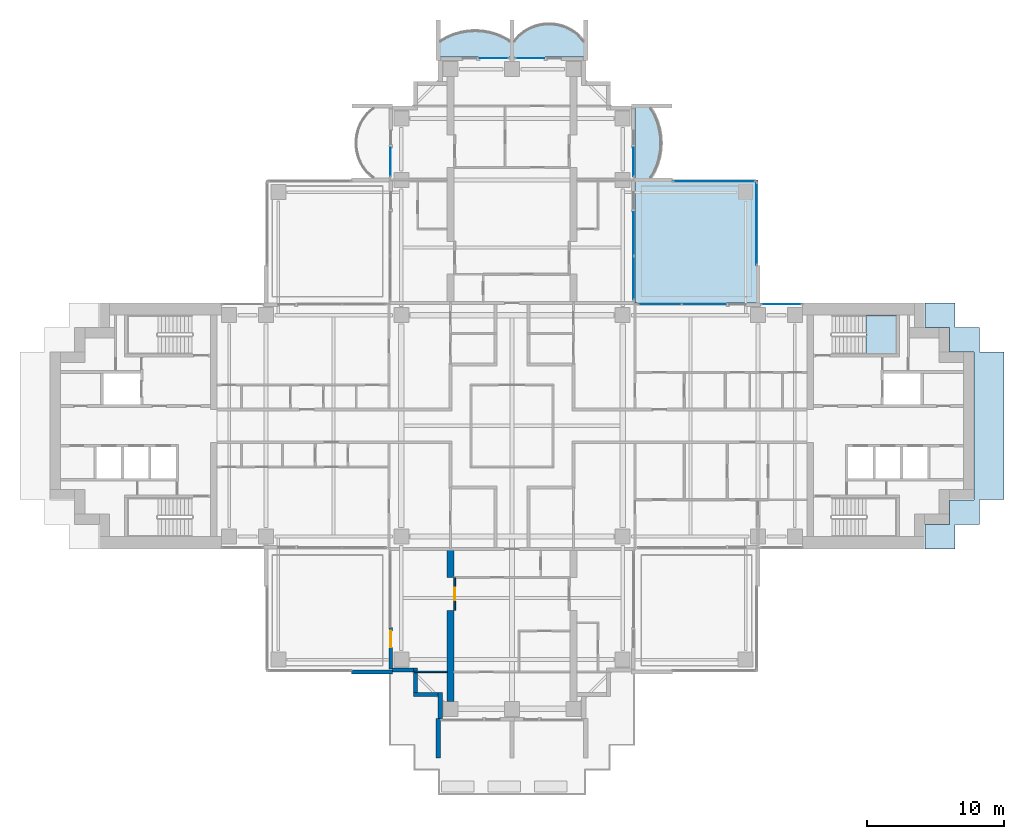
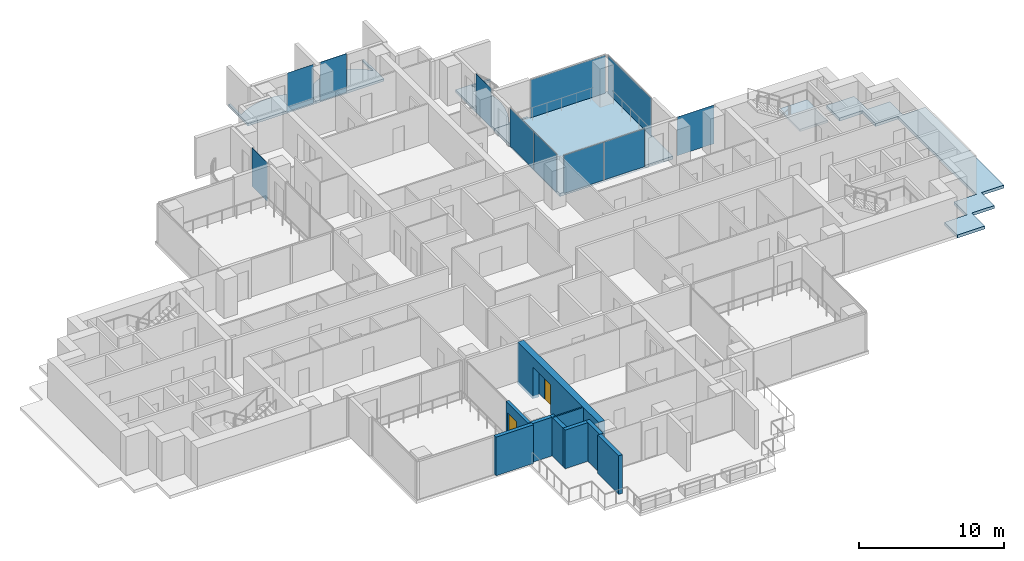
# One storey, part 9 of 20: 11 plates, 10 walls, 6 slabs, 2 doors, 2 openings, 10 elements without a shape of their own.
"""IFC4 building model written with IfcOpenShell, lengths in metres."""

from ifc_helpers import new_model, si_unit, direction, frame, frame_2d, origin, origin_2d, place, context, subcontext, project, spatial, polyline, rectangle, outline, extrude, material, layer, layer_set, material_profile, profile_set, type_object, element, fill, aggregate, save


model = new_model("IFC4")

# Units and contexts
model_context = context("Model", 3, precision=1e-05, world=origin(), true_north=direction((0.0, 1.0)))
body_context = subcontext(model_context, "Body", "Model", "MODEL_VIEW")
ifc_project = project(units=[si_unit("LENGTHUNIT", "METRE"), si_unit("AREAUNIT", "SQUARE_METRE"), si_unit("VOLUMEUNIT", "CUBIC_METRE"), si_unit("PLANEANGLEUNIT", "RADIAN"), si_unit("MASSUNIT", "GRAM", prefix="KILO")], contexts=[model_context])

# Site, building, storey
site_placement = place(None, origin())
site = spatial("IfcSite", under=ifc_project, at=site_placement, CompositionType="ELEMENT")
building_placement = place(site_placement, origin())
building = spatial("IfcBuilding", under=site, at=building_placement, Name="Perihelion Cross Residences", CompositionType="ELEMENT")
storey_placement = place(building_placement, frame((0.0, 0.0, 102.39990234375)))
storey = spatial("IfcBuildingStorey", under=building, at=storey_placement, Name="L23", CompositionType="ELEMENT", Elevation=102.39990234375)

# Slabs
ifc_material_1 = material(Name="Concrete C40/50", Category="concrete")
ifc_layer_1 = layer(ifc_material_1, 0.199951171875)
ifc_layer_set_1 = layer_set([ifc_layer_1], Name="Balcony slab 200")
slab_type_1 = type_object("IfcSlabType", Name="Balcony slab 200", PredefinedType="FLOOR", material=ifc_layer_set_1)
slab_1_placement = place(storey_placement, frame((0.0, 0.0, -0.199951171875)))
element("IfcSlab", 1, at=slab_1_placement, inside=storey, type_object=slab_type_1, Name="Slab BK1 L23 north side east bay 2 balcony", PredefinedType="FLOOR", context=body_context, shape_type="SweptSolid", body=[
    extrude(outline(polyline([(9.0, 18.0), (9.0, 23.39990234375), (11.699951171875, 23.39990234375), (11.699951171875, 23.25), (10.199951171875, 23.25), (10.4853515625, 22.739990234375), (10.694580078125, 22.22998046875), (10.838134765625, 21.719970703125), (10.92236328125, 21.2099609375), (10.949951171875, 20.699951171875), (10.92236328125, 20.18994140625), (10.838134765625, 19.679931640625), (10.694580078125, 19.169921875), (10.4853515625, 18.659912109375), (10.199951171875, 18.14990234375), (11.699951171875, 18.14990234375), (11.699951171875, 18.0), (9.0, 18.0)])), origin(), (0.0, 0.0, 1.0), 0.199951171875),
])
slab_2_placement = place(storey_placement, frame((0.0, 0.0, -0.199951171875)))
element("IfcSlab", 2, at=slab_2_placement, inside=storey, type_object=slab_type_1, Name="Slab BK1 L23 north tip north bay 1 balcony", PredefinedType="FLOOR", context=body_context, shape_type="SweptSolid", body=[
    extrude(outline(polyline([(5.39990234375, 27.0), (0.0, 27.0), (0.0, 29.699951171875), (0.14990234375, 29.699951171875), (0.14990234375, 28.199951171875), (0.542236328125, 28.622314453125), (0.9345703125, 28.924072265625), (1.326904296875, 29.143310546875), (1.71923828125, 29.29736328125), (2.111572265625, 29.39599609375), (2.50390625, 29.444091796875), (2.896240234375, 29.444091796875), (3.28857421875, 29.39599609375), (3.6806640625, 29.29736328125), (4.072998046875, 29.143310546875), (4.46533203125, 28.924072265625), (4.857666015625, 28.622314453125), (5.25, 28.199951171875), (5.25, 29.699951171875), (5.39990234375, 29.699951171875), (5.39990234375, 27.0)])), origin(), (0.0, 0.0, 1.0), 0.199951171875),
])
slab_3_placement = place(storey_placement, frame((0.0, 0.0, -0.199951171875)))
element("IfcSlab", 3, at=slab_3_placement, inside=storey, type_object=slab_type_1, Name="Slab BK1 L23 north tip north bay 2 balcony", PredefinedType="FLOOR", context=body_context, shape_type="SweptSolid", body=[
    extrude(outline(polyline([(0.0, 27.0), (-5.39990234375, 27.0), (-5.39990234375, 29.699951171875), (-5.25, 29.699951171875), (-5.25, 28.199951171875), (-4.739990234375, 28.4853515625), (-4.22998046875, 28.694580078125), (-3.719970703125, 28.838134765625), (-3.2099609375, 28.92236328125), (-2.699951171875, 28.949951171875), (-2.18994140625, 28.92236328125), (-1.679931640625, 28.838134765625), (-1.169921875, 28.694580078125), (-0.659912109375, 28.4853515625), (-0.14990234375, 28.199951171875), (-0.14990234375, 29.699951171875), (0.0, 29.699951171875), (0.0, 27.0)])), origin(), (0.0, 0.0, 1.0), 0.199951171875),
])

# Curtain wall, plate
ifc_material_2 = material(Name="Bronze anodised aluminium, tinted glazing", Category="aluminium")
curtain_wall_type_1 = type_object("IfcCurtainWallType", Name="CW1", PredefinedType="NOTDEFINED", material=ifc_material_2)
curtain_wall_1_placement = place(storey_placement, origin())
curtain_wall_1 = element("IfcCurtainWall", 4, at=curtain_wall_1_placement, inside=storey, type_object=curtain_wall_type_1, Name="Curtain wall CW1 L23 east side north bay 1", PredefinedType="NOTDEFINED")
ifc_material_3 = material(Name="Tinted laminated glass", Category="glass")
ifc_layer_2 = layer(ifc_material_3, 0.028076171875)
ifc_layer_set_2 = layer_set([ifc_layer_2], Name="CW1 panel")
plate_type_1 = type_object("IfcPlateType", Name="CW1 panel", PredefinedType="CURTAIN_PANEL", material=ifc_layer_set_2)
plate_1_placement = place(storey_placement, frame((19.72509765625, 8.89990234375, 0.0), z_axis=(0.0, 0.0, 1.0), x_axis=(-1.0, 0.0, 0.0)))
plate_1 = element("IfcPlate", 5, at=plate_1_placement, type_object=plate_type_1, Name="CW1 panel 1", PredefinedType="CURTAIN_PANEL", context=body_context, shape_type="SweptSolid", body=[
    extrude(rectangle(XDim=2.929931640625, YDim=0.028076171875, at=origin_2d()), origin(), (0.0, 0.0, 1.0), 3.25),
])
aggregate(curtain_wall_1, [plate_1])

# Curtain wall, plates
curtain_wall_2_placement = place(storey_placement, origin())
curtain_wall_2 = element("IfcCurtainWall", 6, at=curtain_wall_2_placement, inside=storey, type_object=curtain_wall_type_1, Name="Curtain wall CW1 L23 east side north bay 2", PredefinedType="NOTDEFINED")
plate_2_placement = place(storey_placement, frame((14.052490234375, 8.89990234375, 0.000244140625), z_axis=(0.0, 0.0, 1.0), x_axis=(-1.0, 0.0, 0.0)))
plate_2 = element("IfcPlate", 7, at=plate_2_placement, type_object=plate_type_1, Name="CW1 panel 1", PredefinedType="CURTAIN_PANEL", context=body_context, shape_type="SweptSolid", body=[
    extrude(rectangle(XDim=3.195068359375, YDim=0.028076171875, at=origin_2d()), origin(), (0.0, 0.0, 1.0), 3.18994140625),
])
plate_3_placement = place(storey_placement, frame((10.827392578125, 8.89990234375, 0.000244140625), z_axis=(0.0, 0.0, 1.0), x_axis=(-1.0, 0.0, 0.0)))
plate_3 = element("IfcPlate", 8, at=plate_3_placement, type_object=plate_type_1, Name="CW1 panel 2", PredefinedType="CURTAIN_PANEL", context=body_context, shape_type="SweptSolid", body=[
    extrude(rectangle(XDim=3.135009765625, YDim=0.028076171875, at=origin_2d()), origin(), (0.0, 0.0, 1.0), 3.18994140625),
])
aggregate(curtain_wall_2, [plate_2, plate_3])

curtain_wall_3_placement = place(storey_placement, origin())
curtain_wall_3 = element("IfcCurtainWall", 9, at=curtain_wall_3_placement, inside=storey, type_object=curtain_wall_type_1, Name="Curtain wall CW1 L23 north side east bay 1", PredefinedType="NOTDEFINED")
plate_4_placement = place(storey_placement, frame((8.89990234375, 10.827392578125, 0.000244140625), z_axis=(0.0, 0.0, 1.0), x_axis=(0.0, 1.0, 0.0)))
plate_4 = element("IfcPlate", 10, at=plate_4_placement, type_object=plate_type_1, Name="CW1 panel 1", PredefinedType="CURTAIN_PANEL", context=body_context, shape_type="SweptSolid", body=[
    extrude(rectangle(XDim=3.135009765625, YDim=0.028076171875, at=origin_2d()), origin(), (0.0, 0.0, 1.0), 3.18994140625),
])
plate_5_placement = place(storey_placement, frame((8.89990234375, 14.052490234375, 0.000244140625), z_axis=(0.0, 0.0, 1.0), x_axis=(0.0, 1.0, 0.0)))
plate_5 = element("IfcPlate", 11, at=plate_5_placement, type_object=plate_type_1, Name="CW1 panel 2", PredefinedType="CURTAIN_PANEL", context=body_context, shape_type="SweptSolid", body=[
    extrude(rectangle(XDim=3.195068359375, YDim=0.028076171875, at=origin_2d()), origin(), (0.0, 0.0, 1.0), 3.18994140625),
])
aggregate(curtain_wall_3, [plate_4, plate_5])

# Curtain wall, plate
curtain_wall_4_placement = place(storey_placement, origin())
curtain_wall_4 = element("IfcCurtainWall", 12, at=curtain_wall_4_placement, inside=storey, type_object=curtain_wall_type_1, Name="Curtain wall CW1 L23 north side east bay 2", PredefinedType="NOTDEFINED")
plate_6_placement = place(storey_placement, frame((8.89990234375, 19.304931640625, 0.0), z_axis=(0.0, 0.0, 1.0), x_axis=(0.0, 1.0, 0.0)))
plate_6 = element("IfcPlate", 13, at=plate_6_placement, type_object=plate_type_1, Name="CW1 panel 1", PredefinedType="CURTAIN_PANEL", context=body_context, shape_type="SweptSolid", body=[
    extrude(rectangle(XDim=2.090087890625, YDim=0.028076171875, at=origin_2d()), origin(), (0.0, 0.0, 1.0), 3.25),
])
aggregate(curtain_wall_4, [plate_6])

curtain_wall_5_placement = place(storey_placement, origin())
curtain_wall_5 = element("IfcCurtainWall", 14, at=curtain_wall_5_placement, inside=storey, type_object=curtain_wall_type_1, Name="Curtain wall CW1 L23 north tip north bay 1", PredefinedType="NOTDEFINED")
plate_7_placement = place(storey_placement, frame((1.304931640625, 26.89990234375, 0.0), z_axis=(0.0, 0.0, 1.0), x_axis=(-1.0, 0.0, 0.0)))
plate_7 = element("IfcPlate", 15, at=plate_7_placement, type_object=plate_type_1, Name="CW1 panel 1", PredefinedType="CURTAIN_PANEL", context=body_context, shape_type="SweptSolid", body=[
    extrude(rectangle(XDim=2.090087890625, YDim=0.028076171875, at=origin_2d()), origin(), (0.0, 0.0, 1.0), 3.25),
])
aggregate(curtain_wall_5, [plate_7])

curtain_wall_6_placement = place(storey_placement, origin())
curtain_wall_6 = element("IfcCurtainWall", 16, at=curtain_wall_6_placement, inside=storey, type_object=curtain_wall_type_1, Name="Curtain wall CW1 L23 north tip north bay 2", PredefinedType="NOTDEFINED")
plate_8_placement = place(storey_placement, frame((-1.304931640625, 26.89990234375, 0.0), z_axis=(0.0, 0.0, 1.0), x_axis=(-1.0, 0.0, 0.0)))
plate_8 = element("IfcPlate", 17, at=plate_8_placement, type_object=plate_type_1, Name="CW1 panel 1", PredefinedType="CURTAIN_PANEL", context=body_context, shape_type="SweptSolid", body=[
    extrude(rectangle(XDim=2.090087890625, YDim=0.028076171875, at=origin_2d()), origin(), (0.0, 0.0, 1.0), 3.25),
])
aggregate(curtain_wall_6, [plate_8])

curtain_wall_7_placement = place(storey_placement, origin())
curtain_wall_7 = element("IfcCurtainWall", 18, at=curtain_wall_7_placement, inside=storey, type_object=curtain_wall_type_1, Name="Curtain wall CW1 L23 north side west bay 1", PredefinedType="NOTDEFINED")
plate_9_placement = place(storey_placement, frame((-8.89990234375, 19.304931640625, 0.0), z_axis=(0.0, 0.0, 1.0), x_axis=(0.0, -1.0, 0.0)))
plate_9 = element("IfcPlate", 19, at=plate_9_placement, type_object=plate_type_1, Name="CW1 panel 1", PredefinedType="CURTAIN_PANEL", context=body_context, shape_type="SweptSolid", body=[
    extrude(rectangle(XDim=2.090087890625, YDim=0.028076171875, at=origin_2d()), origin(), (0.0, 0.0, 1.0), 3.25),
])
aggregate(curtain_wall_7, [plate_9])

ifc_material_4 = material(Name="Bronze anodised aluminium, tinted glazing", Category="aluminium")
curtain_wall_type_2 = type_object("IfcCurtainWallType", Name="CW4", PredefinedType="NOTDEFINED", material=ifc_material_4)
curtain_wall_8_placement = place(storey_placement, origin())
curtain_wall_8 = element("IfcCurtainWall", 20, at=curtain_wall_8_placement, inside=storey, type_object=curtain_wall_type_2, Name="Curtain wall CW4 L23 pocket north-east 1 1", PredefinedType="NOTDEFINED")
ifc_material_5 = material(Name="Tinted laminated glass", Category="glass")
ifc_layer_3 = layer(ifc_material_5, 0.030029296875)
ifc_layer_set_3 = layer_set([ifc_layer_3], Name="CW4 panel")
plate_type_2 = type_object("IfcPlateType", Name="CW4 panel", PredefinedType="CURTAIN_PANEL", material=ifc_layer_set_3)
plate_10_placement = place(storey_placement, frame((14.784912109375, 17.89990234375, 0.000244140625), z_axis=(0.0, 0.0, 1.0), x_axis=(1.0, 0.0, 0.0)))
plate_10 = element("IfcPlate", 21, at=plate_10_placement, type_object=plate_type_2, Name="CW4 panel 1", PredefinedType="CURTAIN_PANEL", context=body_context, shape_type="SweptSolid", body=[
    extrude(rectangle(XDim=5.969970703125, YDim=0.030029296875, at=origin_2d()), origin(), (0.0, 0.0, 1.0), 3.18994140625),
])
aggregate(curtain_wall_8, [plate_10])

curtain_wall_9_placement = place(storey_placement, origin())
curtain_wall_9 = element("IfcCurtainWall", 22, at=curtain_wall_9_placement, inside=storey, type_object=curtain_wall_type_2, Name="Curtain wall CW4 L23 pocket north-east 1 2", PredefinedType="NOTDEFINED")
plate_11_placement = place(storey_placement, frame((17.89990234375, 14.784912109375, 0.000244140625), z_axis=(0.0, 0.0, 1.0), x_axis=(0.0, -1.0, 0.0)))
plate_11 = element("IfcPlate", 23, at=plate_11_placement, type_object=plate_type_2, Name="CW4 panel 1", PredefinedType="CURTAIN_PANEL", context=body_context, shape_type="SweptSolid", body=[
    extrude(rectangle(XDim=5.969970703125, YDim=0.030029296875, at=origin_2d()), origin(), (0.0, 0.0, 1.0), 3.18994140625),
])
aggregate(curtain_wall_9, [plate_11])

# Slab
ifc_material_6 = material(Name="Concrete C40/50", Category="concrete")
ifc_layer_4 = layer(ifc_material_6, 0.25)
ifc_layer_set_4 = layer_set([ifc_layer_4], Name="Core roof slab 250")
slab_type_2 = type_object("IfcSlabType", Name="Core roof slab 250", PredefinedType="ROOF", material=ifc_layer_set_4)
slab_4_placement = place(storey_placement, frame((0.0, 0.0, -0.25)))
element("IfcSlab", 24, at=slab_4_placement, inside=storey, type_object=slab_type_2, Name="East core roof over the tip", PredefinedType="ROOF", context=body_context, shape_type="SweptSolid", body=[
    extrude(outline(polyline([(32.39990234375, 7.199951171875), (34.199951171875, 7.199951171875), (34.199951171875, 5.39990234375), (36.0, 5.39990234375), (36.0, -5.39990234375), (34.199951171875, -5.39990234375), (34.199951171875, -7.199951171875), (32.39990234375, -7.199951171875), (32.39990234375, -9.0), (30.2099609375, -9.0), (30.2099609375, -7.2099609375), (32.010009765625, -7.2099609375), (32.010009765625, -5.409912109375), (33.81005859375, -5.409912109375), (33.81005859375, 5.409912109375), (32.010009765625, 5.409912109375), (32.010009765625, 7.2099609375), (30.2099609375, 7.2099609375), (30.2099609375, 9.0), (32.39990234375, 9.0), (32.39990234375, 7.199951171875)])), origin(), (0.0, 0.0, 1.0), 0.25),
])

# Stair, slab
ifc_material_7 = material(Name="Concrete C40/50", Category="concrete")
stair_type = type_object("IfcStairType", Name="Exit stair, half-turn", PredefinedType="HALF_TURN_STAIR", material=ifc_material_7)
stair_placement = place(storey_placement, origin())
stair = element("IfcStair", 25, at=stair_placement, inside=storey, type_object=stair_type, Name="L23 East core exit stair 1", PredefinedType="HALF_TURN_STAIR")
ifc_material_8 = material(Name="Concrete C40/50", Category="concrete")
ifc_layer_5 = layer(ifc_material_8, 0.199951171875)
ifc_layer_set_5 = layer_set([ifc_layer_5], Name="Exit stair landing 200")
slab_type_3 = type_object("IfcSlabType", Name="Exit stair landing 200", PredefinedType="LANDING", material=ifc_layer_set_5)
slab_5_placement = place(storey_placement, frame((0.0, 0.0, 1.550048828125)))
slab_5 = element("IfcSlab", 26, at=slab_5_placement, type_object=slab_type_3, Name="ST-E1 landing 1", PredefinedType="LANDING", context=body_context, shape_type="SweptSolid", body=[
    extrude(outline(polyline([(25.919921875, 5.25), (28.14990234375, 5.25), (28.14990234375, 8.10009765625), (25.919921875, 8.10009765625), (25.919921875, 5.25)])), origin(), (0.0, 0.0, 1.0), 0.199951171875),
])
aggregate(stair, [slab_5])

# Slab
ifc_material_9 = material(Name="Concrete C40/50", Category="concrete")
ifc_layer_6 = layer(ifc_material_9, 0.25)
ifc_layer_set_6 = layer_set([ifc_layer_6], Name="Winter garden slab")
slab_type_4 = type_object("IfcSlabType", Name="Winter garden slab", PredefinedType="FLOOR", material=ifc_layer_set_6)
slab_6_placement = place(storey_placement, frame((0.0, 0.0, -0.25)))
element("IfcSlab", 27, at=slab_6_placement, inside=storey, type_object=slab_type_4, Name="Slab BK3 L23 pocket north-east", PredefinedType="FLOOR", context=body_context, shape_type="SweptSolid", body=[
    extrude(outline(polyline([(18.0, 9.0), (18.0, 18.0), (9.0, 18.0), (9.0, 9.0), (18.0, 9.0)])), origin(), (0.0, 0.0, 1.0), 0.25),
])

# Wall, opening, door
ifc_material_10 = material(Name="Concrete C30/37, bronze-clad", Category="concrete")
ifc_layer_7 = layer(ifc_material_10, 0.25)
ifc_layer_set_7 = layer_set([ifc_layer_7], Name="Bronze-clad pier wall 250")
wall_type_1 = type_object("IfcWallType", Name="Bronze-clad pier wall 250", PredefinedType="SOLIDWALL", material=ifc_layer_set_7)
wall_1_placement = place(storey_placement, frame((-8.875, -14.75, 0.0), z_axis=(0.0, 0.0, 1.0), x_axis=(0.0, -1.0, 0.0)))
wall_1 = element("IfcWall", 28, at=wall_1_placement, inside=storey, type_object=wall_type_1, Name="Wall FW1 L23 south side west bay 1 pier", PredefinedType="SOLIDWALL", context=body_context, shape_type="SweptSolid", body=[
    extrude(rectangle(XDim=3.050048828125, YDim=0.25, at=frame_2d((1.52490234375, 0.0))), origin(), (0.0, 0.0, 1.0), 3.25),
])
opening_1_placement = place(wall_1_placement, frame((0.25, 0.0, 0.0)))
opening_1 = element("IfcOpeningElement", 29, at=opening_1_placement, cuts=wall_1, Name="Opening L23.E10", PredefinedType="OPENING", context=body_context, shape_type="SweptSolid", body=[
    extrude(rectangle(XDim=1.199951171875, YDim=2.39990234375, at=frame_2d((0.60009765625, 1.199951171875))), frame((0.0, 0.135009765625, 0.0), z_axis=(0.0, -1.0, 0.0), x_axis=(1.0, 0.0, 0.0)), (0.0, 0.0, 1.0), 0.27001953125),
])
ifc_material_11 = material(Name="Bronze anodised aluminium, glazed", Category="aluminium")
door_type_1 = type_object("IfcDoorType", Name="Balcony door 1200 x 2400", OperationType="NOTDEFINED", PredefinedType="DOOR", material=ifc_material_11)
door_1_placement = place(opening_1_placement, origin())
door_1 = element("IfcDoor", 30, at=door_1_placement, inside=storey, type_object=door_type_1, Name="Door L23.E10 south side west bay 1", OperationType="SINGLE_SWING_LEFT", OverallHeight=2.39990234375, OverallWidth=1.199951171875, PredefinedType="DOOR", context=body_context, shape_type="SweptSolid", body=[
    extrude(rectangle(XDim=1.199951171875, YDim=2.39990234375, at=frame_2d((0.60009765625, 1.199951171875))), frame((0.0, 0.02490234375, 0.0), z_axis=(0.0, -1.0, 0.0), x_axis=(1.0, 0.0, 0.0)), (0.0, 0.0, 1.0), 0.050048828125),
])
fill(opening_1, door_1)

# Walls
ifc_material_12 = material(Name="Concrete C30/37, bronze-clad", Category="concrete")
ifc_layer_8 = layer(ifc_material_12, 0.300048828125)
ifc_layer_set_8 = layer_set([ifc_layer_8], Name="Bronze-clad serration wall 300")
wall_type_2 = type_object("IfcWallType", Name="Bronze-clad serration wall 300", PredefinedType="SOLIDWALL", material=ifc_layer_set_8)
wall_2_placement = place(storey_placement, frame((-8.75, -17.85009765625, 0.0), z_axis=(0.0, 0.0, 1.0), x_axis=(1.0, 0.0, 0.0)))
element("IfcWall", 31, at=wall_2_placement, inside=storey, type_object=wall_type_2, Name="Wall SR1 L23 south corner south-west 1", PredefinedType="SOLIDWALL", context=body_context, shape_type="SweptSolid", body=[
    extrude(rectangle(XDim=1.550048828125, YDim=0.300048828125, at=frame_2d((0.77490234375, 0.0))), origin(), (0.0, 0.0, 1.0), 3.25),
])
for number, where, z_axis, x_axis, name in (
    (32, (-7.050048828125, -17.699951171875, 0.0), (0.0, 0.0, 1.0), (0.0, -1.0, 0.0), "Wall SR1 L23 south corner south-west 2"),
    (33, (-7.199951171875, -19.64990234375, 0.0), (0.0, 0.0, 1.0), (1.0, 0.0, 0.0), "Wall SR1 L23 south corner south-west 3"),
):
    element("IfcWall", number, at=place(storey_placement, frame(where, z_axis=z_axis, x_axis=x_axis)), inside=storey, type_object=wall_type_2, Name=name, PredefinedType="SOLIDWALL", context=body_context, shape_type="SweptSolid", body=[
        extrude(rectangle(XDim=1.800048828125, YDim=0.300048828125, at=frame_2d((0.89990234375, 0.0))), origin(), (0.0, 0.0, 1.0), 3.25),
    ])
wall_3_placement = place(storey_placement, frame((-5.25, -19.5, 0.0), z_axis=(0.0, 0.0, 1.0), x_axis=(0.0, -1.0, 0.0)))
element("IfcWall", 34, at=wall_3_placement, inside=storey, type_object=wall_type_2, Name="Wall SR1 L23 south corner south-west 4", PredefinedType="SOLIDWALL", context=body_context, shape_type="SweptSolid", body=[
    extrude(rectangle(XDim=1.919921875, YDim=0.300048828125, at=frame_2d((0.9599609375, 0.0))), origin(), (0.0, 0.0, 1.0), 3.25),
])

# Wall, opening, door
ifc_material_13 = material(Name="Plasterboard partition")
ifc_layer_9 = layer(ifc_material_13, 0.1201171875)
ifc_layer_set_9 = layer_set([ifc_layer_9], Name="Infill panel 120")
wall_type_3 = type_object("IfcWallType", Name="Infill panel 120", PredefinedType="PARTITIONING", material=ifc_layer_set_9)
wall_4_placement = place(storey_placement, frame((-4.18994140625, -11.10009765625, 0.0), z_axis=(0.0, 0.0, 1.0), x_axis=(0.0, -1.0, 0.0)))
wall_4 = element("IfcWall", 35, at=wall_4_placement, inside=storey, type_object=wall_type_3, Name="Partition L23 WI06", PredefinedType="PARTITIONING", context=body_context, shape_type="SweptSolid", body=[
    extrude(rectangle(XDim=2.39990234375, YDim=0.1201171875, at=frame_2d((1.199951171875, 0.0))), origin(), (0.0, 0.0, 1.0), 2.400146484375),
])
opening_2_placement = place(wall_4_placement, frame((0.75, 0.0, 0.0)))
opening_2 = element("IfcOpeningElement", 36, at=opening_2_placement, cuts=wall_4, Name="Opening L23.A55", PredefinedType="OPENING", context=body_context, shape_type="SweptSolid", body=[
    extrude(rectangle(XDim=0.89990234375, YDim=2.10009765625, at=frame_2d((0.449951171875, 1.050048828125))), frame((0.0, 0.070068359375, 0.0), z_axis=(0.0, -1.0, 0.0), x_axis=(1.0, 0.0, 0.0)), (0.0, 0.0, 1.0), 0.14013671875),
])
ifc_material_14 = material(Name="Timber door leaf", Category="wood")
door_type_2 = type_object("IfcDoorType", Name="Interior room door 900 x 2100", OperationType="SINGLE_SWING_LEFT", PredefinedType="DOOR", material=ifc_material_14)
door_2_placement = place(opening_2_placement, origin())
door_2 = element("IfcDoor", 37, at=door_2_placement, inside=storey, type_object=door_type_2, Name="Door L23.A55", OperationType="SINGLE_SWING_LEFT", OverallHeight=2.10009765625, OverallWidth=0.89990234375, PredefinedType="DOOR", context=body_context, shape_type="SweptSolid", body=[
    extrude(rectangle(XDim=0.89990234375, YDim=2.10009765625, at=frame_2d((0.449951171875, 1.050048828125))), frame((0.0, 0.02490234375, 0.0), z_axis=(0.0, -1.0, 0.0), x_axis=(1.0, 0.0, 0.0)), (0.0, 0.0, 1.0), 0.050048828125),
])
fill(opening_2, door_2)

# Walls
ifc_material_15 = material(Name="Plasterboard partition")
ifc_layer_10 = layer(ifc_material_15, 0.1201171875)
ifc_layer_set_10 = layer_set([ifc_layer_10], Name="Partition wall 120")
wall_type_4 = type_object("IfcWallType", Name="Partition wall 120", PredefinedType="PARTITIONING", material=ifc_layer_set_10)
wall_5_placement = place(storey_placement, frame((-4.75, -18.0, 0.0), z_axis=(0.0, 0.0, 1.0), x_axis=(-1.0, 0.0, 0.0)))
element("IfcWall", 38, at=wall_5_placement, inside=storey, type_object=wall_type_4, Name="Partition L23 W088", PredefinedType="PARTITIONING", context=body_context, shape_type="SweptSolid", body=[
    extrude(rectangle(XDim=2.3701171875, YDim=0.1201171875, at=frame_2d((1.18505859375, 0.0))), origin(), (0.0, 0.0, 1.0), 3.25),
])
ifc_material_16 = material(Name="Precast concrete C50/60", Category="concrete")
ifc_layer_11 = layer(ifc_material_16, 0.300048828125)
ifc_layer_set_11 = layer_set([ifc_layer_11], Name="Precast concrete C50/60 blade wall 300")
wall_type_5 = type_object("IfcWallType", Name="Precast concrete C50/60 blade wall 300", PredefinedType="SOLIDWALL", material=ifc_layer_set_11)
wall_6_placement = place(storey_placement, frame((-8.75, -18.0, 0.0), z_axis=(0.0, 0.0, 1.0), x_axis=(-1.0, 0.0, 0.0)))
element("IfcWall", 39, at=wall_6_placement, inside=storey, type_object=wall_type_5, Name="Wall BL1 L23 no. 5", PredefinedType="SOLIDWALL", context=body_context, shape_type="SweptSolid", body=[
    extrude(rectangle(XDim=2.989990234375, YDim=0.300048828125, at=frame_2d((1.4951171875, 0.0))), origin(), (0.0, 0.0, 1.0), 3.25),
])
wall_7_placement = place(storey_placement, frame((-5.39990234375, -21.419921875, 0.0), z_axis=(0.0, 0.0, 1.0), x_axis=(0.0, -1.0, 0.0)))
element("IfcWall", 40, at=wall_7_placement, inside=storey, type_object=wall_type_5, Name="Wall BL1 L23 no. 3", PredefinedType="SOLIDWALL", context=body_context, shape_type="SweptSolid", body=[
    extrude(rectangle(XDim=2.880126953125, YDim=0.300048828125, at=frame_2d((1.43994140625, 0.0))), origin(), (0.0, 0.0, 1.0), 3.25),
])
ifc_material_17 = material(Name="Concrete C60/75", Category="concrete")
ifc_material_profile = material_profile(ifc_material_17, outline(polyline([(0.0, 0.0), (6.64990234375, 0.0), (6.64990234375, 2.64990234375), (9.050048828125, 2.64990234375), (9.050048828125, 0.0), (11.14990234375, 0.0), (11.14990234375, 3.5), (0.0, 3.5), (0.0, 0.0)])), Name="Tip spine wall")
ifc_profile_set = profile_set([ifc_material_profile], Name="Concrete C60/75")
wall_type_6 = type_object("IfcWallType", Name="Tip spine wall 500 with 1 door openings 11150 long 3500 high concrete C60/75", PredefinedType="SHEAR", material=ifc_profile_set)
wall_8_placement = place(storey_placement, frame((-4.75, -20.14990234375, -0.25), z_axis=(1.0, 0.0, 0.0), x_axis=(0.0, 1.0, 0.0)))
element("IfcWall", 41, at=wall_8_placement, inside=storey, type_object=wall_type_6, Name="Shear wall SW33 L23 south west", PredefinedType="SHEAR", context=body_context, shape_type="SweptSolid", body=[
    extrude(outline(polyline([(0.0, 0.0), (6.64990234375, 0.0), (6.64990234375, 2.64990234375), (9.050048828125, 2.64990234375), (9.050048828125, 0.0), (11.14990234375, 0.0), (11.14990234375, 3.5), (0.0, 3.5), (0.0, 0.0)])), origin(), (0.0, 0.0, 1.0), 0.5),
])

save(model, "model.ifc")
